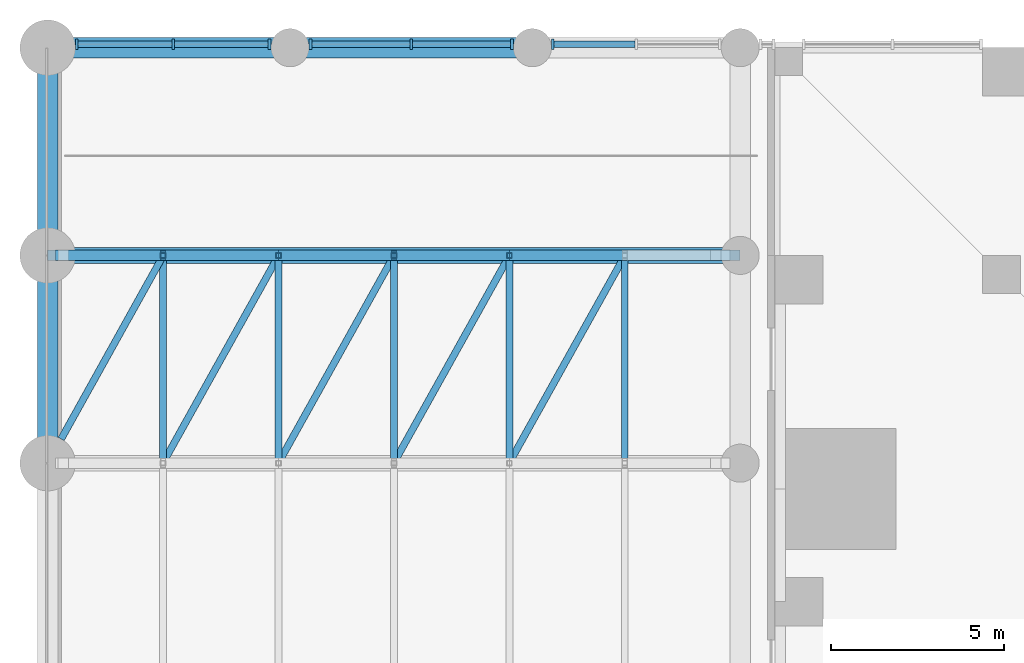
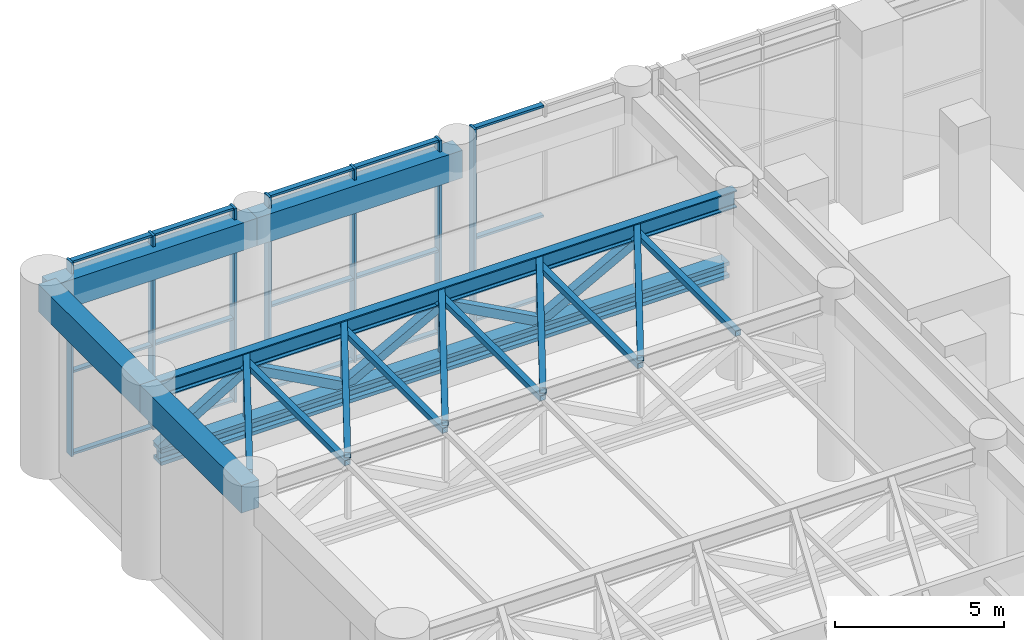
# One storey, part 9 of 30: 43 members, 4 beams, 3 elements without a shape of their own.
"""IFC4 building model written with IfcOpenShell, lengths in metres."""

import ifcopenshell
import ifcopenshell.guid

model = None  # the IFC model being written
_history = None  # IfcOwnerHistory: only IFC2X3 demands one
_inside = {}  # id of a spatial element -> (the spatial element, [elements in it])
_under = {}  # id of a project, library or spatial element -> (it, [spatial elements below it])
_declared = {}  # id of a project -> (the project, [libraries it declares])
_typed = {}  # id of a type object -> (the type object, [elements of that type])
_made_of = {}  # id of a material, layer set ... -> (it, [elements and type objects made of it])


def new_model(schema):
    """Start an empty IFC model of exactly this schema.

    Asked for "IFC4X3", IfcOpenShell would pick the latest addendum, in which some entities
    have other attributes; the version numbers below select the first issue.
    IFC2X3 requires an IfcOwnerHistory on every rooted entity: one is made here for all.
    """
    global model, _history
    if schema == "IFC4X3":
        model = ifcopenshell.file(schema_version=(4, 3, 0, 0))
    else:
        model = ifcopenshell.file(schema=schema)
    _inside.clear()
    _under.clear()
    _declared.clear()
    _typed.clear()
    _made_of.clear()
    _history = None
    if model.schema == "IFC2X3":
        org = make("IfcOrganization", Name="unknown")
        user = make(
            "IfcPersonAndOrganization",
            ThePerson=make("IfcPerson", FamilyName="unknown"),
            TheOrganization=org,
        )
        app = make(
            "IfcApplication",
            ApplicationDeveloper=org,
            Version="unknown",
            ApplicationFullName="unknown",
            ApplicationIdentifier="unknown",
        )
        _history = make(
            "IfcOwnerHistory",
            OwningUser=user,
            OwningApplication=app,
            ChangeAction="ADDED",
            CreationDate=0,
        )
    return model


def make(cls, **values):
    """One entity of the class cls with the attributes given. An attribute that is None is left unset."""
    return model.create_entity(
        cls, **{name: value for name, value in values.items() if value is not None}
    )


def rooted(cls, **values):
    """An entity with a GlobalId (a new one), such as an element, a storey or a relation."""
    return make(cls, GlobalId=ifcopenshell.guid.new(), OwnerHistory=_history, **values)


def si_unit(unit_type, name, prefix=None):
    """IfcSIUnit, for example si_unit("LENGTHUNIT", "METRE", prefix="MILLI")."""
    return make("IfcSIUnit", UnitType=unit_type, Prefix=prefix, Name=name)


def assignment(units):
    """IfcUnitAssignment: the units of a project."""
    return None if units is None else make("IfcUnitAssignment", Units=units)


def point(xyz):
    """IfcCartesianPoint."""
    return None if xyz is None else make("IfcCartesianPoint", Coordinates=xyz)


def direction(xyz):
    """IfcDirection."""
    return None if xyz is None else make("IfcDirection", DirectionRatios=xyz)


def frame(location, z_axis=None, x_axis=None):
    """IfcAxis2Placement3D, a coordinate frame: its origin and axes. An axis left out is left unset."""
    return make(
        "IfcAxis2Placement3D",
        Location=point(location),
        Axis=direction(z_axis),
        RefDirection=direction(x_axis),
    )


def frame_2d(location, x_axis=None):
    """IfcAxis2Placement2D, a coordinate frame in the plane: its origin and x axis."""
    return make(
        "IfcAxis2Placement2D", Location=point(location), RefDirection=direction(x_axis)
    )


def origin():
    """The frame at (0, 0, 0) with its axes left unset."""
    return frame((0.0, 0.0, 0.0))


def origin_2d():
    """The frame at (0, 0) in the plane with its x axis left unset."""
    return frame_2d((0.0, 0.0))


def place(relative_to, where):
    """IfcLocalPlacement: puts the frame where relative to a parent placement (None: the world)."""
    return make(
        "IfcLocalPlacement", PlacementRelTo=relative_to, RelativePlacement=where
    )


def context(
    kind, dimensions, precision=None, world=None, true_north=None, identifier=None
):
    """IfcGeometricRepresentationContext, for example the 3D "Model" context."""
    return make(
        "IfcGeometricRepresentationContext",
        ContextIdentifier=identifier,
        ContextType=kind,
        CoordinateSpaceDimension=dimensions,
        Precision=precision,
        WorldCoordinateSystem=world,
        TrueNorth=true_north,
    )


def subcontext(parent, identifier, kind, view, scale=None):
    """IfcGeometricRepresentationSubContext, for example "Body" below "Model"."""
    return make(
        "IfcGeometricRepresentationSubContext",
        ContextIdentifier=identifier,
        ContextType=kind,
        ParentContext=parent,
        TargetScale=scale,
        TargetView=view,
    )


def project(units=None, contexts=None):
    """IfcProject with its units and contexts."""
    return rooted(
        "IfcProject",
        Name="project",
        RepresentationContexts=contexts,
        UnitsInContext=assignment(units),
    )


def spatial(cls, under=None, at=None, **own):
    """A site, building, storey or space (cls), placed at a placement, below another one or the project."""
    s = rooted(cls, ObjectPlacement=at, **own)
    if under is not None:
        _under.setdefault(under.id(), (under, []))[1].append(s)
    return s


def profile(cls, at=None, kind="AREA", **sizes):
    """A parametric profile (cls). Its sizes go by their IFC names, for example OverallWidth=200.0."""
    return make(cls, ProfileType=kind, Position=at, **sizes)


def rectangle(**sizes):
    """IfcRectangleProfileDef."""
    return profile("IfcRectangleProfileDef", **sizes)


def hollow_rectangle(**sizes):
    """IfcRectangleHollowProfileDef."""
    return profile("IfcRectangleHollowProfileDef", **sizes)


def i_section(**sizes):
    """IfcIShapeProfileDef."""
    return profile("IfcIShapeProfileDef", **sizes)


def extrude(swept, where, along, depth):
    """IfcExtrudedAreaSolid: the profile swept, set in the frame where, extruded along a direction by depth."""
    return make(
        "IfcExtrudedAreaSolid",
        SweptArea=swept,
        Position=where,
        ExtrudedDirection=direction(along),
        Depth=depth,
    )


def shape(context_of_items, identifier, shape_type, items):
    """IfcShapeRepresentation: the items that make up one representation, for example the "Body"."""
    return make(
        "IfcShapeRepresentation",
        ContextOfItems=context_of_items,
        RepresentationIdentifier=identifier,
        RepresentationType=shape_type,
        Items=items,
    )


def material(Name=None, Category=None):
    """IfcMaterial."""
    return make("IfcMaterial", Name=Name, Category=Category)


def material_profile(
    of_material, cross_section, Name=None, Category=None, Priority=None
):
    """IfcMaterialProfile: a cross section and its material."""
    return make(
        "IfcMaterialProfile",
        Name=Name,
        Material=of_material,
        Profile=cross_section,
        Priority=Priority,
        Category=Category,
    )


def profile_set(profiles, Name=None, composite=None):
    """IfcMaterialProfileSet."""
    return make(
        "IfcMaterialProfileSet",
        Name=Name,
        MaterialProfiles=profiles,
        CompositeProfile=composite,
    )


def made_of(thing, what):
    """Note that an element or type object is made of a material, layer set ...; save() writes the relation."""
    if what is not None:
        _made_of.setdefault(what.id(), (what, []))[1].append(thing)
    return thing


def type_object(cls, material=None, **own):
    """A type object (cls), such as IfcWallType, which elements share."""
    return made_of(rooted(cls, **own), material)


def element(
    cls,
    number,
    at=None,
    inside=None,
    cuts=None,
    type_object=None,
    material=None,
    context=None,
    identifier="Body",
    shape_type=None,
    held_by="IfcProductDefinitionShape",
    body=None,
    shapes=None,
    **own,
):
    """One element of the class cls, such as IfcWall. Its Tag is "e" and its number.

    at: its placement. inside: the storey or other place that contains it. cuts: it is an
    opening in that element (IfcRelVoidsElement). A single representation is given by context,
    identifier, shape_type and body (its items); several are given by shapes. held_by: the class
    of the entity that holds the representations. save() writes the other relations.
    """
    e = rooted(cls, Tag="e%d" % number, ObjectPlacement=at, **own)
    if body is not None:
        shapes = [shape(context, identifier, shape_type, body)]
    if shapes is not None:
        e.Representation = make(held_by, Representations=shapes)
    if inside is not None:
        _inside.setdefault(inside.id(), (inside, []))[1].append(e)
    if cuts is not None:
        rooted(
            "IfcRelVoidsElement", RelatingBuildingElement=cuts, RelatedOpeningElement=e
        )
    if type_object is not None:
        _typed.setdefault(type_object.id(), (type_object, []))[1].append(e)
    return made_of(e, material)


def aggregate(whole, parts):
    """IfcRelAggregates: a whole, such as a stair, and the parts it consists of."""
    return rooted("IfcRelAggregates", RelatingObject=whole, RelatedObjects=parts)


def save(model, path):
    """Write the relations noted so far, then the file.

    IfcRelAggregates (storeys below a building ...), IfcRelContainedInSpatialStructure (elements
    in a storey), IfcRelDefinesByType, IfcRelAssociatesMaterial and IfcRelDeclares: one each for
    every whole, place, type object, material and project.
    """
    for whole, parts in _under.values():
        aggregate(whole, parts)
    for where, things in _inside.values():
        rooted(
            "IfcRelContainedInSpatialStructure",
            RelatedElements=things,
            RelatingStructure=where,
        )
    for kind, things in _typed.values():
        rooted("IfcRelDefinesByType", RelatedObjects=things, RelatingType=kind)
    for what, things in _made_of.values():
        rooted("IfcRelAssociatesMaterial", RelatedObjects=things, RelatingMaterial=what)
    for by, libraries in _declared.values():
        rooted("IfcRelDeclares", RelatingContext=by, RelatedDefinitions=libraries)
    model.write(path)


model = new_model("IFC4")

# Units and contexts
model_context = context("Model", 3, precision=1e-05, world=origin(), true_north=direction((0.0, 1.0)))
body_context = subcontext(model_context, "Body", "Model", "MODEL_VIEW")
ifc_project = project(units=[si_unit("LENGTHUNIT", "METRE"), si_unit("AREAUNIT", "SQUARE_METRE"), si_unit("VOLUMEUNIT", "CUBIC_METRE"), si_unit("PLANEANGLEUNIT", "RADIAN"), si_unit("MASSUNIT", "GRAM", prefix="KILO")], contexts=[model_context])

# Site, building, storey
site_placement = place(None, origin())
site = spatial("IfcSite", under=ifc_project, at=site_placement, CompositionType="ELEMENT")
building_placement = place(site_placement, origin())
building = spatial("IfcBuilding", under=site, at=building_placement, Name="Svetlomir Tower", CompositionType="ELEMENT")
storey_placement = place(building_placement, frame((0.0, 0.0, 11.0)))
storey = spatial("IfcBuildingStorey", under=building, at=storey_placement, Name="L02", CompositionType="ELEMENT", Elevation=11.0)

# Members
ifc_material_1 = material(Name="Steel S355", Category="steel")
ifc_material_profile_1 = material_profile(ifc_material_1, i_section(OverallWidth=0.4541015625, OverallDepth=0.569091796875, WebThickness=0.077880859375, FlangeThickness=0.125, FilletRadius=0.014892578125, at=origin_2d()), Name="HD 400x1086")
ifc_profile_set_1 = profile_set([ifc_material_profile_1], Name="Steel S355")
member_type_1 = type_object("IfcMemberType", Name="AUDITORIUM TRUSS BOTTOM CHORD HD 400x1086", PredefinedType="CHORD", material=ifc_profile_set_1)
member_1_placement = place(storey_placement, frame((-20.699951171875, 36.0, 3.889892578125), z_axis=(1.0, 0.0, 0.0), x_axis=(0.0, 1.0, 0.0)))
element("IfcMember", 1, at=member_1_placement, inside=storey, type_object=member_type_1, Name="Auditorium truss 36 bottom chord", PredefinedType="CHORD", context=body_context, shape_type="SweptSolid", body=[
    extrude(i_section(OverallWidth=0.4541015625, OverallDepth=0.569091796875, WebThickness=0.077880859375, FlangeThickness=0.125, FilletRadius=0.014892578125, at=origin_2d()), origin(), (0.0, 0.0, 1.0), 19.39990234375),
])
ifc_material_2 = material(Name="Steel S355", Category="steel")
ifc_material_profile_2 = material_profile(ifc_material_2, i_section(OverallWidth=0.304931640625, OverallDepth=0.6201171875, WebThickness=0.02099609375, FlangeThickness=0.0400390625, FilletRadius=0.027099609375, at=origin_2d()), Name="HEM 600")
ifc_profile_set_2 = profile_set([ifc_material_profile_2], Name="Steel S355")
member_type_2 = type_object("IfcMemberType", Name="AUDITORIUM TRUSS CHORD HEM 600", PredefinedType="CHORD", material=ifc_profile_set_2)
member_2_placement = place(storey_placement, frame((-21.0, 36.0, 6.2900390625), z_axis=(1.0, 0.0, 0.0), x_axis=(0.0, 1.0, 0.0)))
element("IfcMember", 2, at=member_2_placement, inside=storey, type_object=member_type_2, Name="Auditorium truss 36 top chord", PredefinedType="CHORD", context=body_context, shape_type="SweptSolid", body=[
    extrude(i_section(OverallWidth=0.304931640625, OverallDepth=0.6201171875, WebThickness=0.02099609375, FlangeThickness=0.0400390625, FilletRadius=0.027099609375, at=origin_2d()), origin(), (0.0, 0.0, 1.0), 20.0),
])
ifc_material_3 = material(Name="Steel S355", Category="steel")
ifc_material_profile_3 = material_profile(ifc_material_3, hollow_rectangle(XDim=0.300048828125, YDim=0.300048828125, WallThickness=0.02001953125, at=origin_2d()), Name="SHS 300x300x20")
ifc_profile_set_3 = profile_set([ifc_material_profile_3], Name="Steel S355")
member_type_3 = type_object("IfcMemberType", Name="AUDITORIUM TRUSS DIAGONAL SHS 300x300x20", PredefinedType="BRACE", material=ifc_profile_set_3)
member_3_placement = place(storey_placement, frame((-20.699951171875, 36.0, 4.174560546875), z_axis=(0.859300122136, 0.0, 0.511471700193), x_axis=(0.0, 1.0, 0.0)))
element("IfcMember", 3, at=member_3_placement, inside=storey, type_object=member_type_3, Name="Auditorium truss 36 diagonal 1", PredefinedType="BRACE", context=body_context, shape_type="SweptSolid", body=[
    extrude(hollow_rectangle(XDim=0.300048828125, YDim=0.300048828125, WallThickness=0.02001953125, at=origin_2d()), origin(), (0.0, 0.0, 1.0), 3.52978515625),
])
member_4_placement = place(storey_placement, frame((-17.666748046875, 36.0, 5.97998046875), z_axis=(0.879316688011, 0.0, -0.476237506067), x_axis=(0.0, 1.0, 0.0)))
element("IfcMember", 4, at=member_4_placement, inside=storey, type_object=member_type_3, Name="Auditorium truss 36 diagonal 2", PredefinedType="BRACE", context=body_context, shape_type="SweptSolid", body=[
    extrude(hollow_rectangle(XDim=0.300048828125, YDim=0.300048828125, WallThickness=0.02001953125, at=origin_2d()), origin(), (0.0, 0.0, 1.0), 3.791015625),
])
for number, where, z_axis, x_axis, name in (
    (5, (-14.333251953125, 36.0, 4.174560546875), (0.879302080726, 0.0, 0.476264475717), (0.0, 1.0, 0.0), "Auditorium truss 36 diagonal 3"),
    (6, (-11.0, 36.0, 5.97998046875), (0.879302080726, 0.0, -0.476264475717), (0.0, 1.0, 0.0), "Auditorium truss 36 diagonal 4"),
):
    element("IfcMember", number, at=place(storey_placement, frame(where, z_axis=z_axis, x_axis=x_axis)), inside=storey, type_object=member_type_3, Name=name, PredefinedType="BRACE", context=body_context, shape_type="SweptSolid", body=[
        extrude(hollow_rectangle(XDim=0.300048828125, YDim=0.300048828125, WallThickness=0.02001953125, at=origin_2d()), origin(), (0.0, 0.0, 1.0), 3.790771484375),
    ])
member_5_placement = place(storey_placement, frame((-7.666748046875, 36.0, 4.174560546875), z_axis=(0.879316688011, 0.0, 0.476237506067), x_axis=(0.0, 1.0, 0.0)))
element("IfcMember", 7, at=member_5_placement, inside=storey, type_object=member_type_3, Name="Auditorium truss 36 diagonal 5", PredefinedType="BRACE", context=body_context, shape_type="SweptSolid", body=[
    extrude(hollow_rectangle(XDim=0.300048828125, YDim=0.300048828125, WallThickness=0.02001953125, at=origin_2d()), origin(), (0.0, 0.0, 1.0), 3.791015625),
])
ifc_material_4 = material(Name="Steel S355", Category="steel")
ifc_material_profile_4 = material_profile(ifc_material_4, hollow_rectangle(XDim=0.199951171875, YDim=0.199951171875, WallThickness=0.010009765625, at=origin_2d()), Name="SHS 200x200x10")
ifc_profile_set_4 = profile_set([ifc_material_profile_4], Name="Steel S355")
member_type_4 = type_object("IfcMemberType", Name="AUDITORIUM TRUSS PLAN BRACE SHS 200x200x10", PredefinedType="BRACE", material=ifc_profile_set_4)
member_6_placement = place(storey_placement, frame((-20.6103515625, 30.69873046875, 6.419921875), z_axis=(0.486183785472, 0.87385658248, 0.0), x_axis=(-0.87385658248, 0.486183785472, 0.0)))
element("IfcMember", 8, at=member_6_placement, inside=storey, type_object=member_type_4, Name="Auditorium truss plan brace 1 grid 30 to 36", PredefinedType="BRACE", context=body_context, shape_type="SweptSolid", body=[
    extrude(hollow_rectangle(XDim=0.199951171875, YDim=0.199951171875, WallThickness=0.010009765625, at=origin_2d()), origin(), (0.0, 0.0, 1.0), 6.054443359375),
])
for number, where, z_axis, x_axis, name in (
    (9, (-17.666748046875, 30.010498046875, 6.419921875), (0.486962635487, 0.873422802335, 0.0), (-0.873422802335, 0.486962635487, 0.0), "Auditorium truss plan brace 2 grid 30 to 36"),
    (10, (-14.333251953125, 30.010498046875, 6.419921875), (0.48693542752, 0.873437971138, 0.0), (-0.873437971138, 0.48693542752, 0.0), "Auditorium truss plan brace 3 grid 30 to 36"),
    (11, (-11.0, 30.010498046875, 6.419921875), (0.48693542752, 0.873437971138, 0.0), (-0.873437971138, 0.48693542752, 0.0), "Auditorium truss plan brace 4 grid 30 to 36"),
    (12, (-7.666748046875, 30.010498046875, 6.419921875), (0.486962635487, 0.873422802335, 0.0), (-0.873422802335, 0.486962635487, 0.0), "Auditorium truss plan brace 5 grid 30 to 36"),
):
    element("IfcMember", number, at=place(storey_placement, frame(where, z_axis=z_axis, x_axis=x_axis)), inside=storey, type_object=member_type_4, Name=name, PredefinedType="BRACE", context=body_context, shape_type="SweptSolid", body=[
        extrude(hollow_rectangle(XDim=0.199951171875, YDim=0.199951171875, WallThickness=0.010009765625, at=origin_2d()), origin(), (0.0, 0.0, 1.0), 6.845458984375),
    ])
ifc_material_5 = material(Name="Steel S355", Category="steel")
ifc_material_profile_5 = material_profile(ifc_material_5, hollow_rectangle(XDim=0.199951171875, YDim=0.199951171875, WallThickness=0.010009765625, at=origin_2d()), Name="SHS 200x200x10")
ifc_profile_set_5 = profile_set([ifc_material_profile_5], Name="Steel S355")
member_type_5 = type_object("IfcMemberType", Name="AUDITORIUM TRUSS PLAN TIE SHS 200x200x10", PredefinedType="BRACE", material=ifc_profile_set_5)
for number, where, z_axis, x_axis, name in (
    (13, (-17.666748046875, 30.010498046875, 6.159912109375), (0.0, 1.0, 0.0), (-1.0, 0.0, 0.0), "Auditorium truss plan tie 1 grid 30 to 36"),
    (14, (-14.333251953125, 30.010498046875, 6.159912109375), (0.0, 1.0, 0.0), (-1.0, 0.0, 0.0), "Auditorium truss plan tie 2 grid 30 to 36"),
    (15, (-11.0, 30.010498046875, 6.159912109375), (0.0, 1.0, 0.0), (-1.0, 0.0, 0.0), "Auditorium truss plan tie 3 grid 30 to 36"),
    (16, (-7.666748046875, 30.010498046875, 6.159912109375), (0.0, 1.0, 0.0), (-1.0, 0.0, 0.0), "Auditorium truss plan tie 4 grid 30 to 36"),
    (17, (-4.333251953125, 30.010498046875, 6.159912109375), (0.0, 1.0, 0.0), (-1.0, 0.0, 0.0), "Auditorium truss plan tie 5 grid 30 to 36"),
):
    element("IfcMember", number, at=place(storey_placement, frame(where, z_axis=z_axis, x_axis=x_axis)), inside=storey, type_object=member_type_5, Name=name, PredefinedType="BRACE", context=body_context, shape_type="SweptSolid", body=[
        extrude(hollow_rectangle(XDim=0.199951171875, YDim=0.199951171875, WallThickness=0.010009765625, at=origin_2d()), origin(), (0.0, 0.0, 1.0), 5.97900390625),
    ])
ifc_material_6 = material(Name="Steel S355", Category="steel")
ifc_material_profile_6 = material_profile(ifc_material_6, hollow_rectangle(XDim=0.14990234375, YDim=0.14990234375, WallThickness=0.008056640625, at=origin_2d()), Name="SHS 150x150x8")
ifc_profile_set_6 = profile_set([ifc_material_profile_6], Name="Steel S355")
member_type_6 = type_object("IfcMemberType", Name="AUDITORIUM TRUSS POST SHS 150x150x8", PredefinedType="POST", material=ifc_profile_set_6)
for number, where, z_axis, x_axis, name in (
    (18, (-17.666748046875, 36.0, 4.174560546875), (0.0, 0.0, 1.0), (1.0, 0.0, 0.0), "Auditorium truss 36 post 1"),
    (19, (-14.333251953125, 36.0, 4.174560546875), (0.0, 0.0, 1.0), (1.0, 0.0, 0.0), "Auditorium truss 36 post 2"),
    (20, (-11.0, 36.0, 4.174560546875), (0.0, 0.0, 1.0), (1.0, 0.0, 0.0), "Auditorium truss 36 post 3"),
    (21, (-7.666748046875, 36.0, 4.174560546875), (0.0, 0.0, 1.0), (1.0, 0.0, 0.0), "Auditorium truss 36 post 4"),
):
    element("IfcMember", number, at=place(storey_placement, frame(where, z_axis=z_axis, x_axis=x_axis)), inside=storey, type_object=member_type_6, Name=name, PredefinedType="POST", context=body_context, shape_type="SweptSolid", body=[
        extrude(hollow_rectangle(XDim=0.14990234375, YDim=0.14990234375, WallThickness=0.008056640625, at=origin_2d()), origin(), (0.0, 0.0, 1.0), 1.805419921875),
    ])

# Curtain wall, member
ifc_material_7 = material(Name="Bronze anodised aluminium curtain wall", Category="aluminium")
curtain_wall_type = type_object("IfcCurtainWallType", Name="CURTAIN WALL CW5 PODIUM", PredefinedType="NOTDEFINED", material=ifc_material_7)
curtain_wall_1_placement = place(storey_placement, origin())
curtain_wall_1 = element("IfcCurtainWall", 22, at=curtain_wall_1_placement, inside=storey, type_object=curtain_wall_type, Name="Curtain wall CW5 L02", PredefinedType="NOTDEFINED")
ifc_material_8 = material(Name="Bronze anodised aluminium", Category="aluminium")
ifc_material_profile_7 = material_profile(ifc_material_8, rectangle(XDim=0.080078125, YDim=0.300048828125, at=origin_2d()), Name="AL 80x300")
ifc_profile_set_7 = profile_set([ifc_material_profile_7], Name="Bronze anodised aluminium 6063-T6")
member_type_7 = type_object("IfcMemberType", Name="CW5 MULLION 80x300", PredefinedType="MULLION", material=ifc_profile_set_7)
member_7_placement = place(storey_placement, frame((-6.409912109375, 42.10009765625, 0.0), z_axis=(0.0, 0.0, 1.0), x_axis=(-1.0, 0.0, 0.0)))
member_7 = element("IfcMember", 23, at=member_7_placement, type_object=member_type_7, Name="CW5 mullion 3", PredefinedType="MULLION", context=body_context, shape_type="SweptSolid", body=[
    extrude(rectangle(XDim=0.080078125, YDim=0.300048828125, at=origin_2d()), origin(), (0.0, 0.0, 1.0), 7.0),
])

# Curtain wall, members
curtain_wall_2_placement = place(storey_placement, origin())
curtain_wall_2 = element("IfcCurtainWall", 24, at=curtain_wall_2_placement, inside=storey, type_object=curtain_wall_type, Name="Curtain wall CW5 L02", PredefinedType="NOTDEFINED")
member_8_placement = place(storey_placement, frame((-7.590087890625, 42.10009765625, 0.0), z_axis=(0.0, 0.0, 1.0), x_axis=(-1.0, 0.0, 0.0)))
member_8 = element("IfcMember", 25, at=member_8_placement, type_object=member_type_7, Name="CW5 mullion 1", PredefinedType="MULLION", context=body_context, shape_type="SweptSolid", body=[
    extrude(rectangle(XDim=0.080078125, YDim=0.300048828125, at=origin_2d()), origin(), (0.0, 0.0, 1.0), 7.0),
])
member_9_placement = place(storey_placement, frame((-10.5, 42.10009765625, 0.0), z_axis=(0.0, 0.0, 1.0), x_axis=(-1.0, 0.0, 0.0)))
member_9 = element("IfcMember", 26, at=member_9_placement, type_object=member_type_7, Name="CW5 mullion 2", PredefinedType="MULLION", context=body_context, shape_type="SweptSolid", body=[
    extrude(rectangle(XDim=0.080078125, YDim=0.300048828125, at=origin_2d()), origin(), (0.0, 0.0, 1.0), 7.0),
])
member_10_placement = place(storey_placement, frame((-13.409912109375, 42.10009765625, 0.0), z_axis=(0.0, 0.0, 1.0), x_axis=(-1.0, 0.0, 0.0)))
member_10 = element("IfcMember", 27, at=member_10_placement, type_object=member_type_7, Name="CW5 mullion 3", PredefinedType="MULLION", context=body_context, shape_type="SweptSolid", body=[
    extrude(rectangle(XDim=0.080078125, YDim=0.300048828125, at=origin_2d()), origin(), (0.0, 0.0, 1.0), 7.0),
])

curtain_wall_3_placement = place(storey_placement, origin())
curtain_wall_3 = element("IfcCurtainWall", 28, at=curtain_wall_3_placement, inside=storey, type_object=curtain_wall_type, Name="Curtain wall CW5 L02", PredefinedType="NOTDEFINED")
member_11_placement = place(storey_placement, frame((-14.590087890625, 42.10009765625, 0.0), z_axis=(0.0, 0.0, 1.0), x_axis=(-1.0, 0.0, 0.0)))
member_11 = element("IfcMember", 29, at=member_11_placement, type_object=member_type_7, Name="CW5 mullion 1", PredefinedType="MULLION", context=body_context, shape_type="SweptSolid", body=[
    extrude(rectangle(XDim=0.080078125, YDim=0.300048828125, at=origin_2d()), origin(), (0.0, 0.0, 1.0), 7.0),
])
member_12_placement = place(storey_placement, frame((-17.375, 42.10009765625, 0.0), z_axis=(0.0, 0.0, 1.0), x_axis=(-1.0, 0.0, 0.0)))
member_12 = element("IfcMember", 30, at=member_12_placement, type_object=member_type_7, Name="CW5 mullion 2", PredefinedType="MULLION", context=body_context, shape_type="SweptSolid", body=[
    extrude(rectangle(XDim=0.080078125, YDim=0.300048828125, at=origin_2d()), origin(), (0.0, 0.0, 1.0), 7.0),
])
member_13_placement = place(storey_placement, frame((-20.159912109375, 42.10009765625, 0.0), z_axis=(0.0, 0.0, 1.0), x_axis=(-1.0, 0.0, 0.0)))
member_13 = element("IfcMember", 31, at=member_13_placement, type_object=member_type_7, Name="CW5 mullion 3", PredefinedType="MULLION", context=body_context, shape_type="SweptSolid", body=[
    extrude(rectangle(XDim=0.080078125, YDim=0.300048828125, at=origin_2d()), origin(), (0.0, 0.0, 1.0), 7.0),
])

# Member
ifc_material_9 = material(Name="Bronze anodised aluminium", Category="aluminium")
ifc_material_profile_8 = material_profile(ifc_material_9, rectangle(XDim=0.179931640625, YDim=0.080078125, at=origin_2d()), Name="AL 180x80")
ifc_profile_set_8 = profile_set([ifc_material_profile_8], Name="Bronze anodised aluminium 6063-T6")
member_type_8 = type_object("IfcMemberType", Name="CW5 TRANSOM 80x180", PredefinedType="USERDEFINED", material=ifc_profile_set_8)
member_14_placement = place(storey_placement, frame((-4.0400390625, 42.10009765625, 0.0400390625), z_axis=(-1.0, 0.0, 0.0), x_axis=(0.0, -1.0, 0.0)))
member_14 = element("IfcMember", 32, at=member_14_placement, type_object=member_type_8, Name="CW5 transom 2.1", ObjectType="TRANSOM", PredefinedType="USERDEFINED", context=body_context, shape_type="SweptSolid", body=[
    extrude(rectangle(XDim=0.179931640625, YDim=0.080078125, at=origin_2d()), origin(), (0.0, 0.0, 1.0), 2.330078125),
])

member_15_placement = place(storey_placement, frame((-4.0400390625, 42.10009765625, 3.0), z_axis=(-1.0, 0.0, 0.0), x_axis=(0.0, -1.0, 0.0)))
member_15 = element("IfcMember", 33, at=member_15_placement, type_object=member_type_8, Name="CW5 transom 2.2", ObjectType="TRANSOM", PredefinedType="USERDEFINED", context=body_context, shape_type="SweptSolid", body=[
    extrude(rectangle(XDim=0.179931640625, YDim=0.080078125, at=origin_2d()), origin(), (0.0, 0.0, 1.0), 2.330078125),
])

member_16_placement = place(storey_placement, frame((-4.0400390625, 42.10009765625, 6.9599609375), z_axis=(-1.0, 0.0, 0.0), x_axis=(0.0, -1.0, 0.0)))
member_16 = element("IfcMember", 34, at=member_16_placement, type_object=member_type_8, Name="CW5 transom 2.3", ObjectType="TRANSOM", PredefinedType="USERDEFINED", context=body_context, shape_type="SweptSolid", body=[
    extrude(rectangle(XDim=0.179931640625, YDim=0.080078125, at=origin_2d()), origin(), (0.0, 0.0, 1.0), 2.330078125),
])

aggregate(curtain_wall_1, [member_7, member_14, member_15, member_16])

member_17_placement = place(storey_placement, frame((-7.6298828125, 42.10009765625, 0.0400390625), z_axis=(-1.0, 0.0, 0.0), x_axis=(0.0, -1.0, 0.0)))
member_17 = element("IfcMember", 35, at=member_17_placement, type_object=member_type_8, Name="CW5 transom 1.1", ObjectType="TRANSOM", PredefinedType="USERDEFINED", context=body_context, shape_type="SweptSolid", body=[
    extrude(rectangle(XDim=0.179931640625, YDim=0.080078125, at=origin_2d()), origin(), (0.0, 0.0, 1.0), 2.830078125),
])

member_18_placement = place(storey_placement, frame((-7.6298828125, 42.10009765625, 3.0), z_axis=(-1.0, 0.0, 0.0), x_axis=(0.0, -1.0, 0.0)))
member_18 = element("IfcMember", 36, at=member_18_placement, type_object=member_type_8, Name="CW5 transom 1.2", ObjectType="TRANSOM", PredefinedType="USERDEFINED", context=body_context, shape_type="SweptSolid", body=[
    extrude(rectangle(XDim=0.179931640625, YDim=0.080078125, at=origin_2d()), origin(), (0.0, 0.0, 1.0), 2.830078125),
])

member_19_placement = place(storey_placement, frame((-7.6298828125, 42.10009765625, 6.9599609375), z_axis=(-1.0, 0.0, 0.0), x_axis=(0.0, -1.0, 0.0)))
member_19 = element("IfcMember", 37, at=member_19_placement, type_object=member_type_8, Name="CW5 transom 1.3", ObjectType="TRANSOM", PredefinedType="USERDEFINED", context=body_context, shape_type="SweptSolid", body=[
    extrude(rectangle(XDim=0.179931640625, YDim=0.080078125, at=origin_2d()), origin(), (0.0, 0.0, 1.0), 2.830078125),
])

member_20_placement = place(storey_placement, frame((-10.5400390625, 42.10009765625, 0.0400390625), z_axis=(-1.0, 0.0, 0.0), x_axis=(0.0, -1.0, 0.0)))
member_20 = element("IfcMember", 38, at=member_20_placement, type_object=member_type_8, Name="CW5 transom 2.1", ObjectType="TRANSOM", PredefinedType="USERDEFINED", context=body_context, shape_type="SweptSolid", body=[
    extrude(rectangle(XDim=0.179931640625, YDim=0.080078125, at=origin_2d()), origin(), (0.0, 0.0, 1.0), 2.830078125),
])

member_21_placement = place(storey_placement, frame((-10.5400390625, 42.10009765625, 3.0), z_axis=(-1.0, 0.0, 0.0), x_axis=(0.0, -1.0, 0.0)))
member_21 = element("IfcMember", 39, at=member_21_placement, type_object=member_type_8, Name="CW5 transom 2.2", ObjectType="TRANSOM", PredefinedType="USERDEFINED", context=body_context, shape_type="SweptSolid", body=[
    extrude(rectangle(XDim=0.179931640625, YDim=0.080078125, at=origin_2d()), origin(), (0.0, 0.0, 1.0), 2.830078125),
])

member_22_placement = place(storey_placement, frame((-10.5400390625, 42.10009765625, 6.9599609375), z_axis=(-1.0, 0.0, 0.0), x_axis=(0.0, -1.0, 0.0)))
member_22 = element("IfcMember", 40, at=member_22_placement, type_object=member_type_8, Name="CW5 transom 2.3", ObjectType="TRANSOM", PredefinedType="USERDEFINED", context=body_context, shape_type="SweptSolid", body=[
    extrude(rectangle(XDim=0.179931640625, YDim=0.080078125, at=origin_2d()), origin(), (0.0, 0.0, 1.0), 2.830078125),
])

aggregate(curtain_wall_2, [member_8, member_9, member_10, member_17, member_18, member_19, member_20, member_21, member_22])

member_23_placement = place(storey_placement, frame((-14.6298828125, 42.10009765625, 0.0400390625), z_axis=(-1.0, 0.0, 0.0), x_axis=(0.0, -1.0, 0.0)))
member_23 = element("IfcMember", 41, at=member_23_placement, type_object=member_type_8, Name="CW5 transom 1.1", ObjectType="TRANSOM", PredefinedType="USERDEFINED", context=body_context, shape_type="SweptSolid", body=[
    extrude(rectangle(XDim=0.179931640625, YDim=0.080078125, at=origin_2d()), origin(), (0.0, 0.0, 1.0), 2.705078125),
])

member_24_placement = place(storey_placement, frame((-14.6298828125, 42.10009765625, 3.0), z_axis=(-1.0, 0.0, 0.0), x_axis=(0.0, -1.0, 0.0)))
member_24 = element("IfcMember", 42, at=member_24_placement, type_object=member_type_8, Name="CW5 transom 1.2", ObjectType="TRANSOM", PredefinedType="USERDEFINED", context=body_context, shape_type="SweptSolid", body=[
    extrude(rectangle(XDim=0.179931640625, YDim=0.080078125, at=origin_2d()), origin(), (0.0, 0.0, 1.0), 2.705078125),
])

member_25_placement = place(storey_placement, frame((-14.6298828125, 42.10009765625, 6.9599609375), z_axis=(-1.0, 0.0, 0.0), x_axis=(0.0, -1.0, 0.0)))
member_25 = element("IfcMember", 43, at=member_25_placement, type_object=member_type_8, Name="CW5 transom 1.3", ObjectType="TRANSOM", PredefinedType="USERDEFINED", context=body_context, shape_type="SweptSolid", body=[
    extrude(rectangle(XDim=0.179931640625, YDim=0.080078125, at=origin_2d()), origin(), (0.0, 0.0, 1.0), 2.705078125),
])

member_26_placement = place(storey_placement, frame((-17.4150390625, 42.10009765625, 0.0400390625), z_axis=(-1.0, 0.0, 0.0), x_axis=(0.0, -1.0, 0.0)))
member_26 = element("IfcMember", 44, at=member_26_placement, type_object=member_type_8, Name="CW5 transom 2.1", ObjectType="TRANSOM", PredefinedType="USERDEFINED", context=body_context, shape_type="SweptSolid", body=[
    extrude(rectangle(XDim=0.179931640625, YDim=0.080078125, at=origin_2d()), origin(), (0.0, 0.0, 1.0), 2.705078125),
])

member_27_placement = place(storey_placement, frame((-17.4150390625, 42.10009765625, 3.0), z_axis=(-1.0, 0.0, 0.0), x_axis=(0.0, -1.0, 0.0)))
member_27 = element("IfcMember", 45, at=member_27_placement, type_object=member_type_8, Name="CW5 transom 2.2", ObjectType="TRANSOM", PredefinedType="USERDEFINED", context=body_context, shape_type="SweptSolid", body=[
    extrude(rectangle(XDim=0.179931640625, YDim=0.080078125, at=origin_2d()), origin(), (0.0, 0.0, 1.0), 2.705078125),
])

member_28_placement = place(storey_placement, frame((-17.4150390625, 42.10009765625, 6.9599609375), z_axis=(-1.0, 0.0, 0.0), x_axis=(0.0, -1.0, 0.0)))
member_28 = element("IfcMember", 46, at=member_28_placement, type_object=member_type_8, Name="CW5 transom 2.3", ObjectType="TRANSOM", PredefinedType="USERDEFINED", context=body_context, shape_type="SweptSolid", body=[
    extrude(rectangle(XDim=0.179931640625, YDim=0.080078125, at=origin_2d()), origin(), (0.0, 0.0, 1.0), 2.705078125),
])

aggregate(curtain_wall_3, [member_11, member_12, member_13, member_23, member_24, member_25, member_26, member_27, member_28])

# Beams
ifc_material_10 = material(Name="Concrete C60/75", Category="concrete")
ifc_material_profile_9 = material_profile(ifc_material_10, rectangle(XDim=0.60009765625, YDim=1.0, at=origin_2d()), Name="RC 600x1000")
ifc_profile_set_9 = profile_set([ifc_material_profile_9], Name="Concrete C60/75")
beam_type = type_object("IfcBeamType", Name="PODIUM BEAM RC 600x1000", PredefinedType="BEAM", material=ifc_profile_set_9)
for number, where, z_axis, x_axis, name in (
    (47, (-21.0, 30.0, 6.10009765625), (0.0, 1.0, 0.0), (-1.0, 0.0, 0.0), "Podium beam -21/30 to -21/36 under L03"),
    (48, (-21.0, 36.0, 6.10009765625), (0.0, 1.0, 0.0), (-1.0, 0.0, 0.0), "Podium beam -21/36 to -21/42 under L03"),
):
    element("IfcBeam", number, at=place(storey_placement, frame(where, z_axis=z_axis, x_axis=x_axis)), inside=storey, type_object=beam_type, Name=name, PredefinedType="BEAM", context=body_context, shape_type="SweptSolid", body=[
        extrude(rectangle(XDim=0.60009765625, YDim=1.0, at=origin_2d()), origin(), (0.0, 0.0, 1.0), 6.0),
    ])
for number, where, z_axis, x_axis, name in (
    (49, (-21.0, 42.0, 6.10009765625), (1.0, 0.0, 0.0), (0.0, 1.0, 0.0), "Podium beam -21/42 to -14/42 under L03"),
    (50, (-14.0, 42.0, 6.10009765625), (1.0, 0.0, 0.0), (0.0, 1.0, 0.0), "Podium beam -14/42 to -7/42 under L03"),
):
    element("IfcBeam", number, at=place(storey_placement, frame(where, z_axis=z_axis, x_axis=x_axis)), inside=storey, type_object=beam_type, Name=name, PredefinedType="BEAM", context=body_context, shape_type="SweptSolid", body=[
        extrude(rectangle(XDim=0.60009765625, YDim=1.0, at=origin_2d()), origin(), (0.0, 0.0, 1.0), 7.0),
    ])

save(model, "model.ifc")
